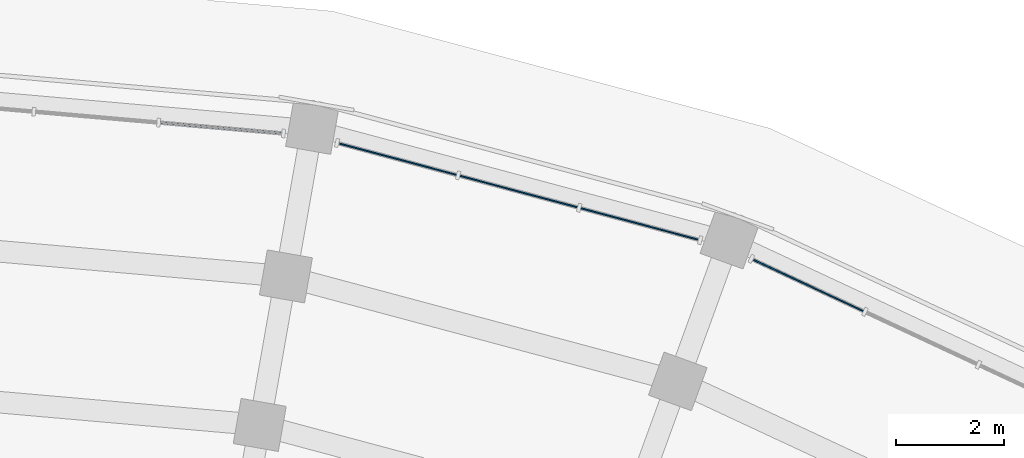
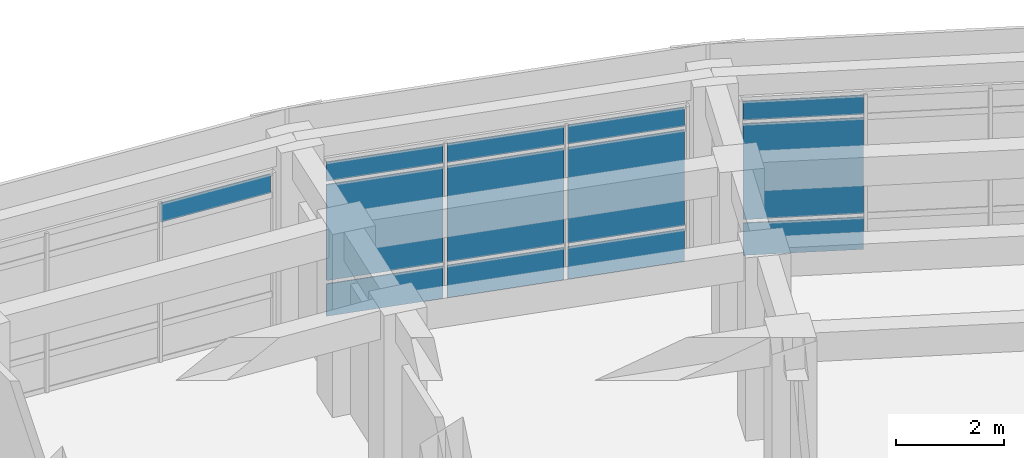
# One storey, part 74 of 135: 13 plates, 3 elements without a shape of their own.
"""IFC4 building model written with IfcOpenShell, lengths in metres."""

from ifc_helpers import new_model, si_unit, direction, frame, origin, origin_2d, place, context, subcontext, project, spatial, rectangle, extrude, material, layer, layer_set, type_object, element, aggregate, save


model = new_model("IFC4")

# Units and contexts
model_context = context("Model", 3, precision=1e-05, world=origin(), true_north=direction((0.0, 1.0)))
body_context = subcontext(model_context, "Body", "Model", "MODEL_VIEW")
ifc_project = project(units=[si_unit("LENGTHUNIT", "METRE"), si_unit("AREAUNIT", "SQUARE_METRE"), si_unit("VOLUMEUNIT", "CUBIC_METRE"), si_unit("PLANEANGLEUNIT", "RADIAN"), si_unit("MASSUNIT", "GRAM", prefix="KILO")], contexts=[model_context])

# Site, building, storey
site_placement = place(None, origin())
site = spatial("IfcSite", under=ifc_project, at=site_placement, CompositionType="ELEMENT")
building_placement = place(site_placement, origin())
building = spatial("IfcBuilding", under=site, at=building_placement, Name="Kiranvali Square Residences", CompositionType="ELEMENT")
storey_placement = place(building_placement, origin())
storey = spatial("IfcBuildingStorey", under=building, at=storey_placement, Name="L00", CompositionType="ELEMENT", Elevation=0.0)

# Curtain wall, plate
ifc_material_1 = material(Name="Anodised bronze aluminium framing", Category="aluminium")
curtain_wall_type = type_object("IfcCurtainWallType", Name="CW-RET-SHOP", PredefinedType="USERDEFINED", material=ifc_material_1)
curtain_wall_1_placement = place(storey_placement, origin())
curtain_wall_1 = element("IfcCurtainWall", 1, at=curtain_wall_1_placement, inside=storey, type_object=curtain_wall_type, Name="Block B L00 rounded-corner arcade curtain wall 1", ObjectType="CURTAIN WALL", PredefinedType="USERDEFINED")
ifc_material_2 = material(Name="Solar-control low-e double glazing", Category="glass")
ifc_layer_1 = layer(ifc_material_2, 0.028076171875)
ifc_layer_set_1 = layer_set([ifc_layer_1], Name="Solar-control low-e double glazing")
plate_type_1 = type_object("IfcPlateType", Name="PLT-CW-GLZ", PredefinedType="CURTAIN_PANEL", material=ifc_layer_set_1)
plate_1_placement = place(storey_placement, frame((126.091552734375, 133.09912109375, 3.14013671875), z_axis=(0.0, 0.0, 1.0), x_axis=(0.996194698092, -0.087155742748, 0.0)))
plate_1 = element("IfcPlate", 2, at=plate_1_placement, type_object=plate_type_1, Name="CW-B-L00-CRV-00 glazed panel 3.3", PredefinedType="CURTAIN_PANEL", context=body_context, shape_type="SweptSolid", body=[
    extrude(rectangle(XDim=2.239501953125, YDim=0.028076171875, at=origin_2d()), origin(), (0.0, 0.0, 1.0), 0.429931640625),
])
aggregate(curtain_wall_1, [plate_1])

# Curtain wall, plates
curtain_wall_2_placement = place(storey_placement, origin())
curtain_wall_2 = element("IfcCurtainWall", 3, at=curtain_wall_2_placement, inside=storey, type_object=curtain_wall_type, Name="Block B L00 rounded-corner arcade curtain wall 2", ObjectType="CURTAIN WALL", PredefinedType="USERDEFINED")
plate_2_placement = place(storey_placement, frame((129.381103515625, 132.51904296875, 0.89013671875), z_axis=(0.0, 0.0, 1.0), x_axis=(0.965925826289, -0.258819045103, 0.0)))
plate_2 = element("IfcPlate", 4, at=plate_2_placement, type_object=plate_type_1, Name="CW-B-L00-CRV-01 glazed panel 1.2", PredefinedType="CURTAIN_PANEL", context=body_context, shape_type="SweptSolid", body=[
    extrude(rectangle(XDim=2.239501953125, YDim=0.028076171875, at=origin_2d()), origin(), (0.0, 0.0, 1.0), 2.169921875),
])
plate_3_placement = place(storey_placement, frame((129.381103515625, 132.51904296875, 3.14013671875), z_axis=(0.0, 0.0, 1.0), x_axis=(0.965925826289, -0.258819045103, 0.0)))
plate_3 = element("IfcPlate", 5, at=plate_3_placement, type_object=plate_type_1, Name="CW-B-L00-CRV-01 glazed panel 1.3", PredefinedType="CURTAIN_PANEL", context=body_context, shape_type="SweptSolid", body=[
    extrude(rectangle(XDim=2.239501953125, YDim=0.028076171875, at=origin_2d()), origin(), (0.0, 0.0, 1.0), 0.429931640625),
])
plate_4_placement = place(storey_placement, frame((131.62158203125, 131.918701171875, 0.89013671875), z_axis=(0.0, 0.0, 1.0), x_axis=(0.965925826289, -0.258819045103, 0.0)))
plate_4 = element("IfcPlate", 6, at=plate_4_placement, type_object=plate_type_1, Name="CW-B-L00-CRV-01 glazed panel 2.2", PredefinedType="CURTAIN_PANEL", context=body_context, shape_type="SweptSolid", body=[
    extrude(rectangle(XDim=2.239501953125, YDim=0.028076171875, at=origin_2d()), origin(), (0.0, 0.0, 1.0), 2.169921875),
])
plate_5_placement = place(storey_placement, frame((131.62158203125, 131.918701171875, 3.14013671875), z_axis=(0.0, 0.0, 1.0), x_axis=(0.965925826289, -0.258819045103, 0.0)))
plate_5 = element("IfcPlate", 7, at=plate_5_placement, type_object=plate_type_1, Name="CW-B-L00-CRV-01 glazed panel 2.3", PredefinedType="CURTAIN_PANEL", context=body_context, shape_type="SweptSolid", body=[
    extrude(rectangle(XDim=2.239501953125, YDim=0.028076171875, at=origin_2d()), origin(), (0.0, 0.0, 1.0), 0.429931640625),
])
plate_6_placement = place(storey_placement, frame((133.862060546875, 131.318359375, 0.89013671875), z_axis=(0.0, 0.0, 1.0), x_axis=(0.965925826289, -0.258819045103, 0.0)))
plate_6 = element("IfcPlate", 8, at=plate_6_placement, type_object=plate_type_1, Name="CW-B-L00-CRV-01 glazed panel 3.2", PredefinedType="CURTAIN_PANEL", context=body_context, shape_type="SweptSolid", body=[
    extrude(rectangle(XDim=2.239501953125, YDim=0.028076171875, at=origin_2d()), origin(), (0.0, 0.0, 1.0), 2.169921875),
])
plate_7_placement = place(storey_placement, frame((133.862060546875, 131.318359375, 3.14013671875), z_axis=(0.0, 0.0, 1.0), x_axis=(0.965925826289, -0.258819045103, 0.0)))
plate_7 = element("IfcPlate", 9, at=plate_7_placement, type_object=plate_type_1, Name="CW-B-L00-CRV-01 glazed panel 3.3", PredefinedType="CURTAIN_PANEL", context=body_context, shape_type="SweptSolid", body=[
    extrude(rectangle(XDim=2.239501953125, YDim=0.028076171875, at=origin_2d()), origin(), (0.0, 0.0, 1.0), 0.429931640625),
])

curtain_wall_3_placement = place(storey_placement, origin())
curtain_wall_3 = element("IfcCurtainWall", 10, at=curtain_wall_3_placement, inside=storey, type_object=curtain_wall_type, Name="Block B L00 rounded-corner arcade curtain wall 3", ObjectType="CURTAIN WALL", PredefinedType="USERDEFINED")
plate_8_placement = place(storey_placement, frame((137.0009765625, 130.17578125, 0.89013671875), z_axis=(0.0, 0.0, 1.0), x_axis=(0.906307787037, -0.422618261741, 0.0)))
plate_8 = element("IfcPlate", 11, at=plate_8_placement, type_object=plate_type_1, Name="CW-B-L00-CRV-02 glazed panel 1.2", PredefinedType="CURTAIN_PANEL", context=body_context, shape_type="SweptSolid", body=[
    extrude(rectangle(XDim=2.239501953125, YDim=0.028076171875, at=origin_2d()), origin(), (0.0, 0.0, 1.0), 2.169921875),
])
plate_9_placement = place(storey_placement, frame((137.0009765625, 130.17578125, 3.14013671875), z_axis=(0.0, 0.0, 1.0), x_axis=(0.906307787037, -0.422618261741, 0.0)))
plate_9 = element("IfcPlate", 12, at=plate_9_placement, type_object=plate_type_1, Name="CW-B-L00-CRV-02 glazed panel 1.3", PredefinedType="CURTAIN_PANEL", context=body_context, shape_type="SweptSolid", body=[
    extrude(rectangle(XDim=2.239501953125, YDim=0.028076171875, at=origin_2d()), origin(), (0.0, 0.0, 1.0), 0.429931640625),
])

# Plate
ifc_material_3 = material(Name="Honed Porbandar limestone ashlar facade cladding", Category="masonry")
ifc_layer_2 = layer(ifc_material_3, 0.02392578125)
ifc_layer_set_2 = layer_set([ifc_layer_2], Name="Honed Porbandar limestone ashlar facade cladding")
plate_type_2 = type_object("IfcPlateType", Name="PLT-CW-SPN", PredefinedType="SHEET", material=ifc_layer_set_2)
plate_10_placement = place(storey_placement, frame((129.381103515625, 132.51904296875, 0.080078125), z_axis=(0.0, 0.0, 1.0), x_axis=(0.965925826289, -0.258819045103, 0.0)))
plate_10 = element("IfcPlate", 13, at=plate_10_placement, type_object=plate_type_2, Name="CW-B-L00-CRV-01 spandrel panel 1.1", PredefinedType="SHEET", context=body_context, shape_type="SweptSolid", body=[
    extrude(rectangle(XDim=2.239501953125, YDim=0.02392578125, at=origin_2d()), origin(), (0.0, 0.0, 1.0), 0.72998046875),
])

plate_11_placement = place(storey_placement, frame((131.62158203125, 131.918701171875, 0.080078125), z_axis=(0.0, 0.0, 1.0), x_axis=(0.965925826289, -0.258819045103, 0.0)))
plate_11 = element("IfcPlate", 14, at=plate_11_placement, type_object=plate_type_2, Name="CW-B-L00-CRV-01 spandrel panel 2.1", PredefinedType="SHEET", context=body_context, shape_type="SweptSolid", body=[
    extrude(rectangle(XDim=2.239501953125, YDim=0.02392578125, at=origin_2d()), origin(), (0.0, 0.0, 1.0), 0.72998046875),
])

plate_12_placement = place(storey_placement, frame((133.862060546875, 131.318359375, 0.080078125), z_axis=(0.0, 0.0, 1.0), x_axis=(0.965925826289, -0.258819045103, 0.0)))
plate_12 = element("IfcPlate", 15, at=plate_12_placement, type_object=plate_type_2, Name="CW-B-L00-CRV-01 spandrel panel 3.1", PredefinedType="SHEET", context=body_context, shape_type="SweptSolid", body=[
    extrude(rectangle(XDim=2.239501953125, YDim=0.02392578125, at=origin_2d()), origin(), (0.0, 0.0, 1.0), 0.72998046875),
])

aggregate(curtain_wall_2, [plate_10, plate_2, plate_3, plate_11, plate_4, plate_5, plate_12, plate_6, plate_7])

plate_13_placement = place(storey_placement, frame((137.0009765625, 130.17578125, 0.080078125), z_axis=(0.0, 0.0, 1.0), x_axis=(0.906307787037, -0.422618261741, 0.0)))
plate_13 = element("IfcPlate", 16, at=plate_13_placement, type_object=plate_type_2, Name="CW-B-L00-CRV-02 spandrel panel 1.1", PredefinedType="SHEET", context=body_context, shape_type="SweptSolid", body=[
    extrude(rectangle(XDim=2.239501953125, YDim=0.02392578125, at=origin_2d()), origin(), (0.0, 0.0, 1.0), 0.72998046875),
])

aggregate(curtain_wall_3, [plate_13, plate_8, plate_9])

save(model, "model.ifc")
